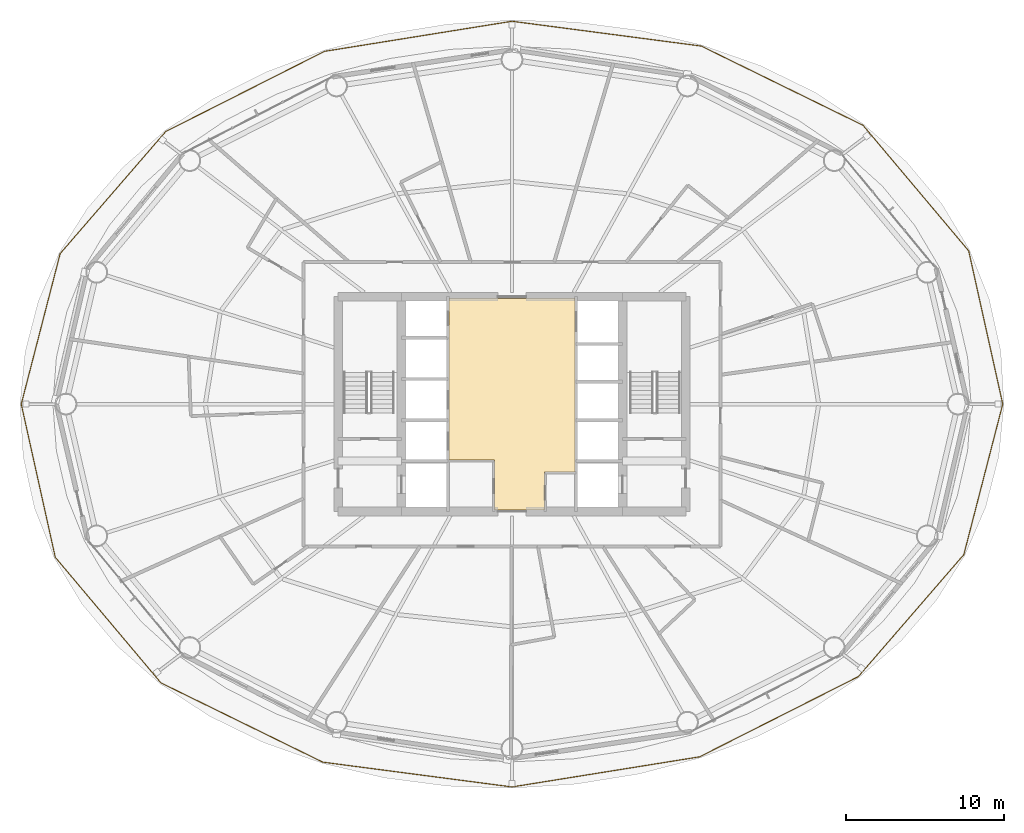
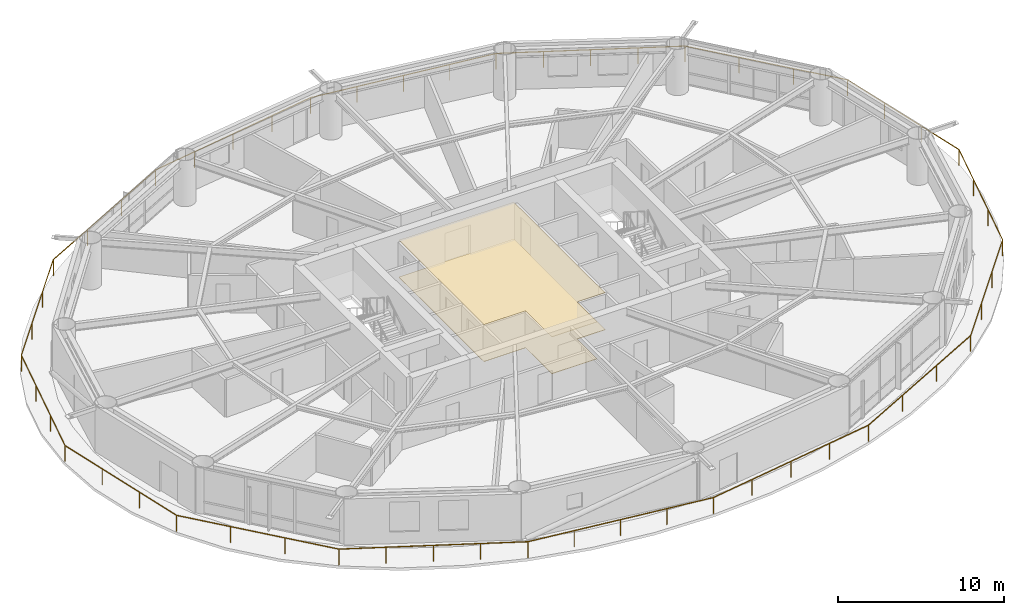
# One storey, part 23 of 24: 2 coverings, 1 railing.
"""IFC4 building model written with IfcOpenShell, lengths in metres."""

from ifc_helpers import new_model, si_unit, direction, frame, origin, origin_2d, place, context, subcontext, project, spatial, polyline, rectangle, outline, extrude, material, layer, layer_set, type_object, element, save


model = new_model("IFC4")

# Units and contexts
model_context = context("Model", 3, precision=1e-05, world=origin(), true_north=direction((0.0, 1.0)))
body_context = subcontext(model_context, "Body", "Model", "MODEL_VIEW")
ifc_project = project(units=[si_unit("LENGTHUNIT", "METRE"), si_unit("AREAUNIT", "SQUARE_METRE"), si_unit("VOLUMEUNIT", "CUBIC_METRE"), si_unit("PLANEANGLEUNIT", "RADIAN"), si_unit("MASSUNIT", "GRAM", prefix="KILO")], contexts=[model_context])

# Site, building, storey
site_placement = place(None, origin())
site = spatial("IfcSite", under=ifc_project, at=site_placement, CompositionType="ELEMENT")
building_placement = place(site_placement, origin())
building = spatial("IfcBuilding", under=site, at=building_placement, Name="Sarneth Arch Tower", CompositionType="ELEMENT")
storey_placement = place(building_placement, frame((0.0, 0.0, 120.0)))
storey = spatial("IfcBuildingStorey", under=building, at=storey_placement, Name="L30", CompositionType="ELEMENT", Elevation=120.0)

# Coverings
ifc_material_1 = material(Name="Perforated acoustic gypsum ceiling board")
ifc_layer_1 = layer(ifc_material_1, 0.02490234375)
ifc_layer_set_1 = layer_set([ifc_layer_1], Name="Perforated acoustic gypsum ceiling board")
covering_type_1 = type_object("IfcCoveringType", Name="COV-CEIL-GYP", PredefinedType="CEILING", material=ifc_layer_set_1)
covering_1_placement = place(storey_placement, frame((0.0, 0.0, 2.7099609375)))
element("IfcCovering", 1, at=covering_1_placement, inside=storey, type_object=covering_type_1, Name="L30 Lift lobby acoustic ceiling", PredefinedType="CEILING", context=body_context, shape_type="SweptSolid", body=[
    extrude(outline(polyline([(52.0, 37.699951171875), (50.050048828125, 37.699951171875), (50.050048828125, 35.300048828125), (46.89990234375, 35.300048828125), (46.89990234375, 38.449951171875), (44.0, 38.449951171875), (44.0, 48.699951171875), (52.0, 48.699951171875), (52.0, 37.699951171875)])), origin(), (0.0, 0.0, 1.0), 0.030029296875),
])
ifc_material_2 = material(Name="Honed granite stone flooring", Category="masonry")
ifc_layer_2 = layer(ifc_material_2, 0.030029296875)
ifc_layer_set_2 = layer_set([ifc_layer_2], Name="Honed granite stone flooring")
covering_type_2 = type_object("IfcCoveringType", Name="COV-FLR-STONE", PredefinedType="FLOORING", material=ifc_layer_set_2)
covering_2_placement = place(storey_placement, origin())
element("IfcCovering", 2, at=covering_2_placement, inside=storey, type_object=covering_type_2, Name="L30 Lift lobby granite flooring", PredefinedType="FLOORING", context=body_context, shape_type="SweptSolid", body=[
    extrude(outline(polyline([(52.0, 37.699951171875), (50.050048828125, 37.699951171875), (50.050048828125, 35.300048828125), (46.89990234375, 35.300048828125), (46.89990234375, 38.449951171875), (44.0, 38.449951171875), (44.0, 48.699951171875), (52.0, 48.699951171875), (52.0, 37.699951171875)])), origin(), (0.0, 0.0, 1.0), 0.030029296875),
])

# Railing
ifc_material_3 = material(Name="Laminated structural glass infill with Stainless Steel 316 top rail and posts", Category="steel")
railing_type = type_object("IfcRailingType", Name="RAIL-BALC-1200", PredefinedType="BALUSTRADE", material=ifc_material_3)
railing_placement = place(storey_placement, frame((79.066650390625, 42.0, 0.0)))
element("IfcRailing", 3, at=railing_placement, inside=storey, type_object=railing_type, Name="L30 Helical balcony glass balustrade", PredefinedType="BALUSTRADE", context=body_context, shape_type="SweptSolid", body=[
    extrude(rectangle(XDim=0.048095703125, YDim=0.048095703125, at=origin_2d()), frame((0.0, 0.0, 1.17578125), z_axis=(-0.216964275483, 0.976179544533, 0.0), x_axis=(-0.976179544533, -0.216964275483, 0.0)), (0.0, 0.0, 1.0), 9.937255859375),
    extrude(rectangle(XDim=0.048095703125, YDim=0.048095703125, at=origin_2d()), frame((-2.156005859375, 9.700439453125, 1.17578125), z_axis=(-0.643776701981, 0.765213406826, 0.0), x_axis=(-0.765213406826, -0.643776701981, 0.0)), (0.0, 0.0, 1.0), 10.387939453125),
    extrude(rectangle(XDim=0.048095703125, YDim=0.048095703125, at=origin_2d()), frame((-8.843505859375, 17.6494140625, 1.17578125), z_axis=(-0.898070473942, 0.439851592965, 0.0), x_axis=(-0.439851592965, -0.898070473942, 0.0)), (0.0, 0.0, 1.0), 11.404541015625),
    extrude(rectangle(XDim=0.048095703125, YDim=0.048095703125, at=origin_2d()), frame((-19.085693359375, 22.665771484375, 1.17578125), z_axis=(-0.991519776611, 0.129955887092, 0.0), x_axis=(-0.129955887092, -0.991519776611, 0.0)), (0.0, 0.0, 1.0), 12.08349609375),
    extrude(rectangle(XDim=0.048095703125, YDim=0.048095703125, at=origin_2d()), frame((-31.066650390625, 24.236083984375, 1.17578125), z_axis=(-0.987357274445, -0.158510607215, 0.0), x_axis=(0.158510607215, -0.987357274445, 0.0)), (0.0, 0.0, 1.0), 12.027587890625),
    extrude(rectangle(XDim=0.048095703125, YDim=0.048095703125, at=origin_2d()), frame((-42.942138671875, 22.32958984375, 1.17578125), z_axis=(-0.892502039963, -0.451043355635, 0.0), x_axis=(0.451043355635, -0.892502039963, 0.0)), (0.0, 0.0, 1.0), 11.258544921875),
    extrude(rectangle(XDim=0.048095703125, YDim=0.048095703125, at=origin_2d()), frame((-52.990478515625, 17.25146484375, 1.17578125), z_axis=(-0.654160066467, -0.756356137967, 0.0), x_axis=(0.756356137967, -0.654160066467, 0.0)), (0.0, 0.0, 1.0), 10.21044921875),
    extrude(rectangle(XDim=0.048095703125, YDim=0.048095703125, at=origin_2d()), frame((-59.669677734375, 9.52880859375, 1.17578125), z_axis=(-0.250313871425, -0.968164741029, 0.0), x_axis=(0.968164741029, -0.250313871425, 0.0)), (0.0, 0.0, 1.0), 9.842041015625),
    extrude(rectangle(XDim=0.048095703125, YDim=0.048095703125, at=origin_2d()), frame((-62.13330078125, 0.0, 1.17578125), z_axis=(0.216964275483, -0.976179544533, 0.0), x_axis=(0.976179544533, 0.216964275483, 0.0)), (0.0, 0.0, 1.0), 9.937255859375),
    extrude(rectangle(XDim=0.048095703125, YDim=0.048095703125, at=origin_2d()), frame((-59.977294921875, -9.700439453125, 1.17578125), z_axis=(0.643776701981, -0.765213406826, 0.0), x_axis=(0.765213406826, 0.643776701981, 0.0)), (0.0, 0.0, 1.0), 10.387939453125),
    extrude(rectangle(XDim=0.048095703125, YDim=0.048095703125, at=origin_2d()), frame((-53.289794921875, -17.6494140625, 1.17578125), z_axis=(0.898070473942, -0.439851592965, 0.0), x_axis=(0.439851592965, 0.898070473942, 0.0)), (0.0, 0.0, 1.0), 11.404541015625),
    extrude(rectangle(XDim=0.048095703125, YDim=0.048095703125, at=origin_2d()), frame((-43.047607421875, -22.665771484375, 1.17578125), z_axis=(0.991519776611, -0.129955887092, 0.0), x_axis=(0.129955887092, 0.991519776611, 0.0)), (0.0, 0.0, 1.0), 12.08349609375),
    extrude(rectangle(XDim=0.048095703125, YDim=0.048095703125, at=origin_2d()), frame((-31.066650390625, -24.236083984375, 1.17578125), z_axis=(0.987357274445, 0.158510607215, 0.0), x_axis=(-0.158510607215, 0.987357274445, 0.0)), (0.0, 0.0, 1.0), 12.027587890625),
    extrude(rectangle(XDim=0.048095703125, YDim=0.048095703125, at=origin_2d()), frame((-19.191162109375, -22.32958984375, 1.17578125), z_axis=(0.892502039963, 0.451043355635, 0.0), x_axis=(-0.451043355635, 0.892502039963, 0.0)), (0.0, 0.0, 1.0), 11.258544921875),
    extrude(rectangle(XDim=0.048095703125, YDim=0.048095703125, at=origin_2d()), frame((-9.142822265625, -17.25146484375, 1.17578125), z_axis=(0.654160066467, 0.756356137967, 0.0), x_axis=(-0.756356137967, 0.654160066467, 0.0)), (0.0, 0.0, 1.0), 10.21044921875),
    extrude(rectangle(XDim=0.048095703125, YDim=0.048095703125, at=origin_2d()), frame((-2.463623046875, -9.52880859375, 1.17578125), z_axis=(0.250313871425, 0.968164741029, 0.0), x_axis=(-0.968164741029, 0.250313871425, 0.0)), (0.0, 0.0, 1.0), 9.842041015625),
    extrude(rectangle(XDim=0.0419921875, YDim=0.0419921875, at=origin_2d()), origin(), (0.0, 0.0, 1.0), 1.15185546875),
    extrude(rectangle(XDim=0.0419921875, YDim=0.0419921875, at=origin_2d()), frame((-0.71875, 3.2333984375, 0.0)), (0.0, 0.0, 1.0), 1.15185546875),
    extrude(rectangle(XDim=0.0419921875, YDim=0.0419921875, at=origin_2d()), frame((-1.437255859375, 6.467041015625, 0.0)), (0.0, 0.0, 1.0), 1.15185546875),
    extrude(rectangle(XDim=0.0419921875, YDim=0.0419921875, at=origin_2d()), frame((-2.156005859375, 9.700439453125, 0.0)), (0.0, 0.0, 1.0), 1.15185546875),
    extrude(rectangle(XDim=0.0419921875, YDim=0.0419921875, at=origin_2d()), frame((-4.38525390625, 12.35009765625, 0.0)), (0.0, 0.0, 1.0), 1.15185546875),
    extrude(rectangle(XDim=0.0419921875, YDim=0.0419921875, at=origin_2d()), frame((-6.6142578125, 14.999755859375, 0.0)), (0.0, 0.0, 1.0), 1.15185546875),
    extrude(rectangle(XDim=0.0419921875, YDim=0.0419921875, at=origin_2d()), frame((-8.843505859375, 17.6494140625, 0.0)), (0.0, 0.0, 1.0), 1.15185546875),
    extrude(rectangle(XDim=0.0419921875, YDim=0.0419921875, at=origin_2d()), frame((-11.404052734375, 18.903564453125, 0.0)), (0.0, 0.0, 1.0), 1.15185546875),
    extrude(rectangle(XDim=0.0419921875, YDim=0.0419921875, at=origin_2d()), frame((-13.964599609375, 20.15771484375, 0.0)), (0.0, 0.0, 1.0), 1.15185546875),
    extrude(rectangle(XDim=0.0419921875, YDim=0.0419921875, at=origin_2d()), frame((-16.525146484375, 21.41162109375, 0.0)), (0.0, 0.0, 1.0), 1.15185546875),
    extrude(rectangle(XDim=0.0419921875, YDim=0.0419921875, at=origin_2d()), frame((-19.085693359375, 22.665771484375, 0.0)), (0.0, 0.0, 1.0), 1.15185546875),
    extrude(rectangle(XDim=0.0419921875, YDim=0.0419921875, at=origin_2d()), frame((-22.0810546875, 23.058349609375, 0.0)), (0.0, 0.0, 1.0), 1.15185546875),
    extrude(rectangle(XDim=0.0419921875, YDim=0.0419921875, at=origin_2d()), frame((-25.076171875, 23.450927734375, 0.0)), (0.0, 0.0, 1.0), 1.15185546875),
    extrude(rectangle(XDim=0.0419921875, YDim=0.0419921875, at=origin_2d()), frame((-28.0712890625, 23.843505859375, 0.0)), (0.0, 0.0, 1.0), 1.15185546875),
    extrude(rectangle(XDim=0.0419921875, YDim=0.0419921875, at=origin_2d()), frame((-31.066650390625, 24.236083984375, 0.0)), (0.0, 0.0, 1.0), 1.15185546875),
    extrude(rectangle(XDim=0.0419921875, YDim=0.0419921875, at=origin_2d()), frame((-34.03564453125, 23.759521484375, 0.0)), (0.0, 0.0, 1.0), 1.15185546875),
    extrude(rectangle(XDim=0.0419921875, YDim=0.0419921875, at=origin_2d()), frame((-37.00439453125, 23.28271484375, 0.0)), (0.0, 0.0, 1.0), 1.15185546875),
    extrude(rectangle(XDim=0.0419921875, YDim=0.0419921875, at=origin_2d()), frame((-39.97314453125, 22.80615234375, 0.0)), (0.0, 0.0, 1.0), 1.15185546875),
    extrude(rectangle(XDim=0.0419921875, YDim=0.0419921875, at=origin_2d()), frame((-42.942138671875, 22.32958984375, 0.0)), (0.0, 0.0, 1.0), 1.15185546875),
    extrude(rectangle(XDim=0.0419921875, YDim=0.0419921875, at=origin_2d()), frame((-46.29150390625, 20.636962890625, 0.0)), (0.0, 0.0, 1.0), 1.15185546875),
    extrude(rectangle(XDim=0.0419921875, YDim=0.0419921875, at=origin_2d()), frame((-49.64111328125, 18.944091796875, 0.0)), (0.0, 0.0, 1.0), 1.15185546875),
    extrude(rectangle(XDim=0.0419921875, YDim=0.0419921875, at=origin_2d()), frame((-52.990478515625, 17.25146484375, 0.0)), (0.0, 0.0, 1.0), 1.15185546875),
    extrude(rectangle(XDim=0.0419921875, YDim=0.0419921875, at=origin_2d()), frame((-55.216796875, 14.67724609375, 0.0)), (0.0, 0.0, 1.0), 1.15185546875),
    extrude(rectangle(XDim=0.0419921875, YDim=0.0419921875, at=origin_2d()), frame((-57.443359375, 12.10302734375, 0.0)), (0.0, 0.0, 1.0), 1.15185546875),
    extrude(rectangle(XDim=0.0419921875, YDim=0.0419921875, at=origin_2d()), frame((-59.669677734375, 9.52880859375, 0.0)), (0.0, 0.0, 1.0), 1.15185546875),
    extrude(rectangle(XDim=0.0419921875, YDim=0.0419921875, at=origin_2d()), frame((-60.490966796875, 6.3525390625, 0.0)), (0.0, 0.0, 1.0), 1.15185546875),
    extrude(rectangle(XDim=0.0419921875, YDim=0.0419921875, at=origin_2d()), frame((-61.31201171875, 3.17626953125, 0.0)), (0.0, 0.0, 1.0), 1.15185546875),
    extrude(rectangle(XDim=0.0419921875, YDim=0.0419921875, at=origin_2d()), frame((-62.13330078125, 0.0, 0.0)), (0.0, 0.0, 1.0), 1.15185546875),
    extrude(rectangle(XDim=0.0419921875, YDim=0.0419921875, at=origin_2d()), frame((-61.41455078125, -3.2333984375, 0.0)), (0.0, 0.0, 1.0), 1.15185546875),
    extrude(rectangle(XDim=0.0419921875, YDim=0.0419921875, at=origin_2d()), frame((-60.696044921875, -6.467041015625, 0.0)), (0.0, 0.0, 1.0), 1.15185546875),
    extrude(rectangle(XDim=0.0419921875, YDim=0.0419921875, at=origin_2d()), frame((-59.977294921875, -9.700439453125, 0.0)), (0.0, 0.0, 1.0), 1.15185546875),
    extrude(rectangle(XDim=0.0419921875, YDim=0.0419921875, at=origin_2d()), frame((-57.748046875, -12.35009765625, 0.0)), (0.0, 0.0, 1.0), 1.15185546875),
    extrude(rectangle(XDim=0.0419921875, YDim=0.0419921875, at=origin_2d()), frame((-55.51904296875, -14.999755859375, 0.0)), (0.0, 0.0, 1.0), 1.15185546875),
    extrude(rectangle(XDim=0.0419921875, YDim=0.0419921875, at=origin_2d()), frame((-53.289794921875, -17.6494140625, 0.0)), (0.0, 0.0, 1.0), 1.15185546875),
    extrude(rectangle(XDim=0.0419921875, YDim=0.0419921875, at=origin_2d()), frame((-50.729248046875, -18.903564453125, 0.0)), (0.0, 0.0, 1.0), 1.15185546875),
    extrude(rectangle(XDim=0.0419921875, YDim=0.0419921875, at=origin_2d()), frame((-48.168701171875, -20.15771484375, 0.0)), (0.0, 0.0, 1.0), 1.15185546875),
    extrude(rectangle(XDim=0.0419921875, YDim=0.0419921875, at=origin_2d()), frame((-45.608154296875, -21.41162109375, 0.0)), (0.0, 0.0, 1.0), 1.15185546875),
    extrude(rectangle(XDim=0.0419921875, YDim=0.0419921875, at=origin_2d()), frame((-43.047607421875, -22.665771484375, 0.0)), (0.0, 0.0, 1.0), 1.15185546875),
    extrude(rectangle(XDim=0.0419921875, YDim=0.0419921875, at=origin_2d()), frame((-40.05224609375, -23.058349609375, 0.0)), (0.0, 0.0, 1.0), 1.15185546875),
    extrude(rectangle(XDim=0.0419921875, YDim=0.0419921875, at=origin_2d()), frame((-37.05712890625, -23.450927734375, 0.0)), (0.0, 0.0, 1.0), 1.15185546875),
    extrude(rectangle(XDim=0.0419921875, YDim=0.0419921875, at=origin_2d()), frame((-34.06201171875, -23.843505859375, 0.0)), (0.0, 0.0, 1.0), 1.15185546875),
    extrude(rectangle(XDim=0.0419921875, YDim=0.0419921875, at=origin_2d()), frame((-31.066650390625, -24.236083984375, 0.0)), (0.0, 0.0, 1.0), 1.15185546875),
    extrude(rectangle(XDim=0.0419921875, YDim=0.0419921875, at=origin_2d()), frame((-28.09765625, -23.759521484375, 0.0)), (0.0, 0.0, 1.0), 1.15185546875),
    extrude(rectangle(XDim=0.0419921875, YDim=0.0419921875, at=origin_2d()), frame((-25.12890625, -23.28271484375, 0.0)), (0.0, 0.0, 1.0), 1.15185546875),
    extrude(rectangle(XDim=0.0419921875, YDim=0.0419921875, at=origin_2d()), frame((-22.16015625, -22.80615234375, 0.0)), (0.0, 0.0, 1.0), 1.15185546875),
    extrude(rectangle(XDim=0.0419921875, YDim=0.0419921875, at=origin_2d()), frame((-19.191162109375, -22.32958984375, 0.0)), (0.0, 0.0, 1.0), 1.15185546875),
    extrude(rectangle(XDim=0.0419921875, YDim=0.0419921875, at=origin_2d()), frame((-15.841796875, -20.636962890625, 0.0)), (0.0, 0.0, 1.0), 1.15185546875),
    extrude(rectangle(XDim=0.0419921875, YDim=0.0419921875, at=origin_2d()), frame((-12.4921875, -18.944091796875, 0.0)), (0.0, 0.0, 1.0), 1.15185546875),
    extrude(rectangle(XDim=0.0419921875, YDim=0.0419921875, at=origin_2d()), frame((-9.142822265625, -17.25146484375, 0.0)), (0.0, 0.0, 1.0), 1.15185546875),
    extrude(rectangle(XDim=0.0419921875, YDim=0.0419921875, at=origin_2d()), frame((-6.91650390625, -14.67724609375, 0.0)), (0.0, 0.0, 1.0), 1.15185546875),
    extrude(rectangle(XDim=0.0419921875, YDim=0.0419921875, at=origin_2d()), frame((-4.68994140625, -12.10302734375, 0.0)), (0.0, 0.0, 1.0), 1.15185546875),
    extrude(rectangle(XDim=0.0419921875, YDim=0.0419921875, at=origin_2d()), frame((-2.463623046875, -9.52880859375, 0.0)), (0.0, 0.0, 1.0), 1.15185546875),
    extrude(rectangle(XDim=0.0419921875, YDim=0.0419921875, at=origin_2d()), frame((-1.642333984375, -6.3525390625, 0.0)), (0.0, 0.0, 1.0), 1.15185546875),
    extrude(rectangle(XDim=0.0419921875, YDim=0.0419921875, at=origin_2d()), frame((-0.8212890625, -3.17626953125, 0.0)), (0.0, 0.0, 1.0), 1.15185546875),
])

save(model, "model.ifc")
